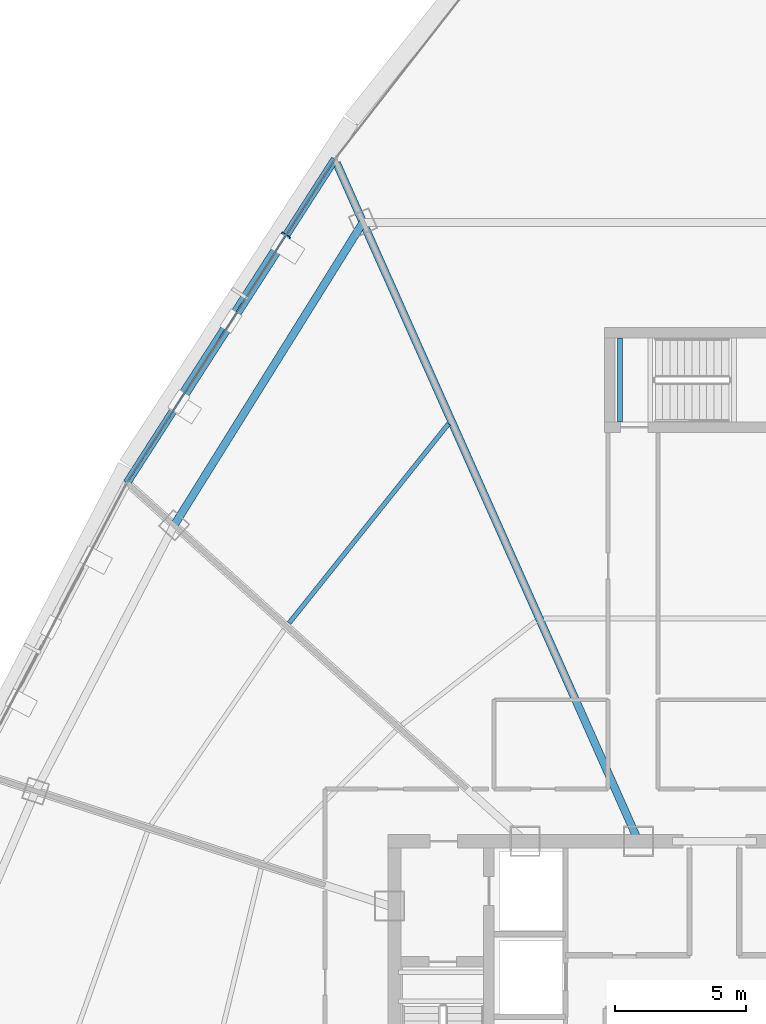
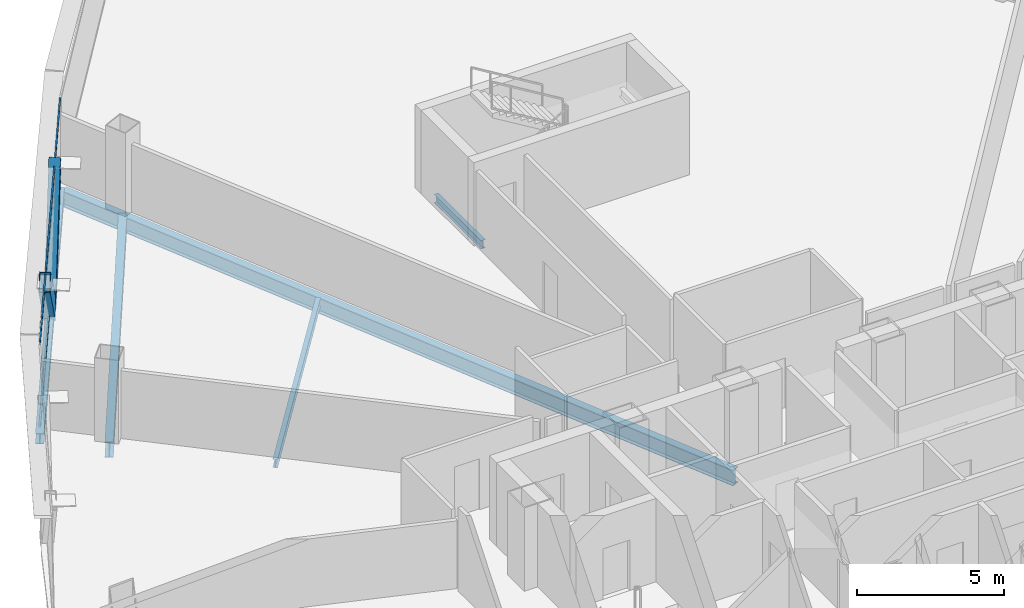
# One storey, part 16 of 36: 5 beams, 4 members, 1 element without a shape of its own.
"""IFC4 building model written with IfcOpenShell, lengths in metres."""

from ifc_helpers import new_model, si_unit, direction, frame, origin, origin_2d, place, context, subcontext, project, spatial, hollow_rectangle, i_section, extrude, source, transform, mapped, material, layer, layer_set, material_profile, profile_set, type_object, element, aggregate, save


model = new_model("IFC4")

# Units and contexts
model_context = context("Model", 3, precision=1e-05, world=origin(), true_north=direction((0.0, 1.0)))
body_context = subcontext(model_context, "Body", "Model", "MODEL_VIEW")
ifc_project = project(units=[si_unit("LENGTHUNIT", "METRE"), si_unit("AREAUNIT", "SQUARE_METRE"), si_unit("VOLUMEUNIT", "CUBIC_METRE"), si_unit("PLANEANGLEUNIT", "RADIAN"), si_unit("MASSUNIT", "GRAM", prefix="KILO"), si_unit("THERMODYNAMICTEMPERATUREUNIT", "KELVIN"), si_unit("POWERUNIT", "WATT")], contexts=[model_context])

# Site, building, storey
site_placement = place(None, origin())
site = spatial("IfcSite", under=ifc_project, at=site_placement, CompositionType="ELEMENT")
building_placement = place(site_placement, origin())
building = spatial("IfcBuilding", under=site, at=building_placement, Name="Yunzhuo Pagoda Commons", CompositionType="ELEMENT")
storey_placement = place(building_placement, frame((0.0, 0.0, 248.260009765625)))
storey = spatial("IfcBuildingStorey", under=building, at=storey_placement, Name="L62", CompositionType="ELEMENT", Elevation=248.260009765625)

# Beams
ifc_material_1 = material(Name="Structural steel Q355B", Category="steel")
ifc_material_profile_1 = material_profile(ifc_material_1, i_section(OverallWidth=0.175048828125, OverallDepth=0.35009765625, WebThickness=0.007080078125, FlangeThickness=0.010986328125, at=origin_2d()), Name="Structural steel Q355B")
ifc_profile_set_1 = profile_set([ifc_material_profile_1], Name="Structural steel Q355B")
beam_type_1 = type_object("IfcBeamType", Name="B-JS2 Joist HN 350x175x7x11", PredefinedType="JOIST", material=ifc_profile_set_1)
shared_shape_1 = source(origin(), body_context, "Body", "SweptSolid", [
    extrude(i_section(OverallWidth=0.175048828125, OverallDepth=0.35009765625, WebThickness=0.007080078125, FlangeThickness=0.010986328125, at=origin_2d()), origin(), (0.0, 0.0, 1.0), 3.199951171875),
])
beam_1_placement = place(storey_placement, frame((44.39990234375, 56.199951171875, -0.375), z_axis=(0.0, 1.0, 0.0), x_axis=(-1.0, 0.0, 0.0)))
element("IfcBeam", 1, at=beam_1_placement, inside=storey, type_object=beam_type_1, Name="L62 ST3 landing support beam 136A", PredefinedType="JOIST", context=body_context, shape_type="MappedRepresentation", body=[
    mapped(shared_shape_1, transform((0.0, 0.0, 0.0), scale=1.0)),
])
ifc_material_profile_2 = material_profile(ifc_material_1, i_section(OverallWidth=0.300048828125, OverallDepth=0.64990234375, WebThickness=0.012939453125, FlangeThickness=0.02197265625, at=origin_2d()), Name="Structural steel Q355B")
ifc_profile_set_2 = profile_set([ifc_material_profile_2], Name="Structural steel Q355B")
beam_type_2 = type_object("IfcBeamType", Name="B-RG2 Beam HN 650x300x13x22", PredefinedType="BEAM", material=ifc_profile_set_2)
shared_shape_2 = source(origin(), body_context, "Body", "SweptSolid", [
    extrude(i_section(OverallWidth=0.300048828125, OverallDepth=0.64990234375, WebThickness=0.012939453125, FlangeThickness=0.02197265625, at=origin_2d()), origin(), (0.0, 0.0, 1.0), 13.615478515625),
])
beam_2_placement = place(storey_placement, frame((34.59326171875, 63.81201171875, -0.5849609375), z_axis=(-0.529178300485, -0.848510651846, 0.0), x_axis=(0.848510651846, -0.529178300485, 0.0)))
element("IfcBeam", 2, at=beam_2_placement, inside=storey, type_object=beam_type_2, Name="L62 column-ring beam 9", PredefinedType="BEAM", context=body_context, shape_type="MappedRepresentation", body=[
    mapped(shared_shape_2, transform((0.0, 0.0, 0.0), scale=1.0)),
])
shared_shape_3 = source(origin(), body_context, "Body", "SweptSolid", [
    extrude(i_section(OverallWidth=0.175048828125, OverallDepth=0.35009765625, WebThickness=0.007080078125, FlangeThickness=0.010986328125, at=origin_2d()), origin(), (0.0, 0.0, 1.0), 9.741455078125),
])
beam_3_placement = place(storey_placement, frame((37.85791015625, 56.1318359375, -0.43505859375), z_axis=(-0.624618636222, -0.780929932378, 0.0), x_axis=(0.780929932378, -0.624618636222, 0.0)))
element("IfcBeam", 3, at=beam_3_placement, inside=storey, type_object=beam_type_1, Name="L62 composite ring joist 2.9", PredefinedType="JOIST", context=body_context, shape_type="MappedRepresentation", body=[
    mapped(shared_shape_3, transform((0.0, 0.0, 0.0), scale=1.0)),
])
shared_shape_4 = source(origin(), body_context, "Body", "SweptSolid", [
    extrude(i_section(OverallWidth=0.300048828125, OverallDepth=0.64990234375, WebThickness=0.012939453125, FlangeThickness=0.02197265625, at=origin_2d()), origin(), (0.0, 0.0, 1.0), 28.330322265625),
])
beam_4_placement = place(storey_placement, frame((33.5830078125, 66.0810546875, -0.5849609375), z_axis=(0.406734861617, -0.913546250797, 0.0), x_axis=(0.913546250797, 0.406734861617, 0.0)))
element("IfcBeam", 4, at=beam_4_placement, inside=storey, type_object=beam_type_2, Name="L62 radial floor girder F3C1", PredefinedType="BEAM", context=body_context, shape_type="MappedRepresentation", body=[
    mapped(shared_shape_4, transform((0.0, 0.0, 0.0), scale=1.0)),
])
ifc_material_profile_3 = material_profile(ifc_material_1, i_section(OverallWidth=0.300048828125, OverallDepth=0.43994140625, WebThickness=0.010986328125, FlangeThickness=0.01806640625, at=origin_2d()), Name="Structural steel Q355B")
ifc_profile_set_3 = profile_set([ifc_material_profile_3], Name="Structural steel Q355B")
beam_type_3 = type_object("IfcBeamType", Name="B-SP2 Beam HM 440x300x11x18", PredefinedType="BEAM", material=ifc_profile_set_3)
shared_shape_5 = source(origin(), body_context, "Body", "SweptSolid", [
    extrude(i_section(OverallWidth=0.300048828125, OverallDepth=0.43994140625, WebThickness=0.010986328125, FlangeThickness=0.01806640625, at=origin_2d()), origin(), (0.0, 0.0, 1.0), 14.671630859375),
])
beam_5_placement = place(storey_placement, frame((33.520263671875, 66.222412109375, -0.47998046875), z_axis=(-0.540624702952, -0.841263888776, 0.0), x_axis=(0.841263888776, -0.540624702952, 0.0)))
element("IfcBeam", 5, at=beam_5_placement, inside=storey, type_object=beam_type_3, Name="L62 facade edge spandrel beam F3.1", PredefinedType="BEAM", context=body_context, shape_type="MappedRepresentation", body=[
    mapped(shared_shape_5, transform((0.0, 0.0, 0.0), scale=1.0)),
])

# Members
ifc_material_profile_4 = material_profile(ifc_material_1, hollow_rectangle(XDim=0.39990234375, YDim=0.719970703125, WallThickness=0.02392578125, at=origin_2d()), Name="Structural steel Q355B")
ifc_profile_set_4 = profile_set([ifc_material_profile_4], Name="Structural steel Q355B")
member_type_1 = type_object("IfcMemberType", Name="M-DL2 Brace BOX 720x400x24", PredefinedType="BRACE", material=ifc_profile_set_4)
shared_shape_6 = source(origin(), body_context, "Body", "SweptSolid", [
    extrude(hollow_rectangle(XDim=0.39990234375, YDim=0.719970703125, WallThickness=0.02392578125, at=origin_2d()), origin(), (0.0, 0.0, 1.0), 5.2314453125),
])
for number, where, z_axis, x_axis, name in (
    (6, (29.55419921875, 60.051025390625, -0.260009765625), (0.379036831274, 0.58983581759, 0.713039121525), (-0.841271456876, 0.540612926081, 0.0), "L62 facade diamond brace F3.1L"),
    (7, (29.55419921875, 60.051025390625, -0.260009765625), (-0.379036831274, -0.58983581759, 0.713039121525), (0.841271456876, -0.540612926081, 0.0), "L62 facade diamond brace F3.1R"),
):
    element("IfcMember", number, at=place(storey_placement, frame(where, z_axis=z_axis, x_axis=x_axis)), inside=storey, type_object=member_type_1, Name=name, PredefinedType="BRACE", context=body_context, shape_type="MappedRepresentation", body=[
        mapped(shared_shape_6, transform((0.0, 0.0, 0.0), scale=1.0)),
    ])

# Curtain wall, members
ifc_material_2 = material(Name="Anodized aluminium 6063-T6", Category="aluminium")
ifc_layer = layer(ifc_material_2, 0.139892578125)
ifc_layer_set = layer_set([ifc_layer], Name="Anodized aluminium 6063-T6")
curtain_wall_type = type_object("IfcCurtainWallType", Name="CW-HI High-Zone Ribbon Curtain Wall", PredefinedType="NOTDEFINED", material=ifc_layer_set)
curtain_wall_placement = place(storey_placement, origin())
curtain_wall = element("IfcCurtainWall", 8, at=curtain_wall_placement, inside=storey, type_object=curtain_wall_type, Name="L62 curtain wall CW-L62-F3B2", PredefinedType="NOTDEFINED")
ifc_material_profile_5 = material_profile(ifc_material_2, hollow_rectangle(XDim=0.054931640625, YDim=0.1201171875, WallThickness=0.00341796875, at=origin_2d()), Name="Anodized aluminium 6063-T6")
ifc_profile_set_5 = profile_set([ifc_material_profile_5], Name="Anodized aluminium 6063-T6")
member_type_2 = type_object("IfcMemberType", Name="CW-HI-T Transom RHS 120x55x3.5", PredefinedType="USERDEFINED", material=ifc_profile_set_5)
shared_shape_7 = source(origin(), body_context, "Body", "SweptSolid", [
    extrude(hollow_rectangle(XDim=0.054931640625, YDim=0.1201171875, WallThickness=0.00341796875, at=origin_2d()), origin(), (0.0, 0.0, 1.0), 14.5517578125),
])
member_1_placement = place(storey_placement, frame((33.487548828125, 66.172119140625, 0.027587890625), z_axis=(-0.540605797284, -0.841276037899, 0.0), x_axis=(0.841276037899, -0.540605797284, 0.0)))
member_1 = element("IfcMember", 9, at=member_1_placement, type_object=member_type_2, Name="CW transom 1.1", ObjectType="TRANSOM", PredefinedType="USERDEFINED", context=body_context, shape_type="MappedRepresentation", body=[
    mapped(shared_shape_7, transform((0.0, 0.0, 0.0), scale=1.0)),
])
member_2_placement = place(storey_placement, frame((33.487548828125, 66.172119140625, 3.4423828125), z_axis=(-0.540605797284, -0.841276037899, 0.0), x_axis=(0.841276037899, -0.540605797284, 0.0)))
member_2 = element("IfcMember", 10, at=member_2_placement, type_object=member_type_2, Name="CW transom 1.2", ObjectType="TRANSOM", PredefinedType="USERDEFINED", context=body_context, shape_type="MappedRepresentation", body=[
    mapped(shared_shape_7, transform((0.0, 0.0, 0.0), scale=1.0)),
])
aggregate(curtain_wall, [member_1, member_2])

save(model, "model.ifc")
